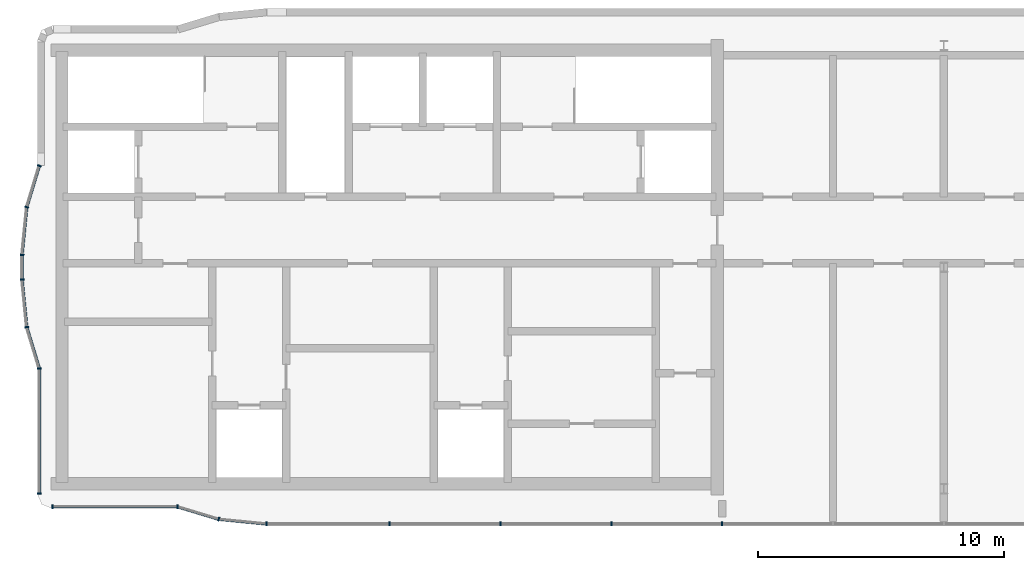
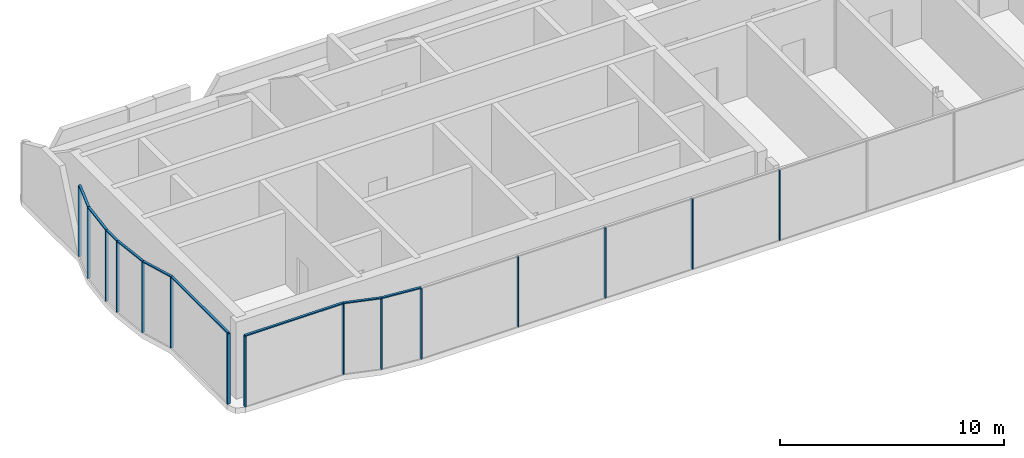
# One storey, part 2 of 9: 24 members, 10 elements without a shape of their own.
"""IFC4 building model written with IfcOpenShell, lengths in metres."""

from ifc_helpers import new_model, si_unit, direction, frame, origin, origin_2d, place, context, subcontext, project, spatial, rectangle, extrude, material, material_profile, profile_set, type_object, element, aggregate, save


model = new_model("IFC4")

# Units and contexts
model_context = context("Model", 3, precision=1e-05, world=origin(), true_north=direction((0.0, 1.0)))
body_context = subcontext(model_context, "Body", "Model", "MODEL_VIEW")
ifc_project = project(units=[si_unit("LENGTHUNIT", "METRE"), si_unit("AREAUNIT", "SQUARE_METRE"), si_unit("VOLUMEUNIT", "CUBIC_METRE"), si_unit("PLANEANGLEUNIT", "RADIAN"), si_unit("MASSUNIT", "GRAM", prefix="KILO")], contexts=[model_context])

# Site, building, storey
site_placement = place(None, origin())
site = spatial("IfcSite", under=ifc_project, at=site_placement, CompositionType="ELEMENT")
building_placement = place(site_placement, origin())
building = spatial("IfcBuilding", under=site, at=building_placement, Name="Ogive Portal Towers", CompositionType="ELEMENT")
storey_placement = place(building_placement, frame((0.0, 0.0, 281.300048828125)))
storey = spatial("IfcBuildingStorey", under=building, at=storey_placement, Name="L68", CompositionType="ELEMENT", Elevation=281.300048828125)

# Curtain wall, members
ifc_material_1 = material(Name="Glass, clear low-iron insulated glazing", Category="glass")
curtain_wall_type = type_object("IfcCurtainWallType", Name="CW CROWN GLAZING", PredefinedType="NOTDEFINED", material=ifc_material_1)
curtain_wall_1_placement = place(storey_placement, origin())
curtain_wall_1 = element("IfcCurtainWall", 1, at=curtain_wall_1_placement, inside=storey, type_object=curtain_wall_type, Name="A:L68:c00:cw", PredefinedType="NOTDEFINED")
ifc_material_2 = material(Name="Aluminium 6063 anodised", Category="aluminium")
ifc_material_profile_1 = material_profile(ifc_material_2, rectangle(XDim=0.159912109375, YDim=0.06005859375, at=origin_2d()), Name="AL 60x160")
ifc_profile_set_1 = profile_set([ifc_material_profile_1], Name="Aluminium 6063 anodised")
member_type_1 = type_object("IfcMemberType", Name="CW MULLION 60x160", PredefinedType="MULLION", material=ifc_profile_set_1)
member_1_placement = place(storey_placement, frame((30.780029296875, 26.38671875, 0.0), z_axis=(0.0, 0.0, 1.0), x_axis=(1.0, 0.0, 0.0)))
member_1 = element("IfcMember", 2, at=member_1_placement, type_object=member_type_1, Name="mullion", PredefinedType="MULLION", context=body_context, shape_type="SweptSolid", body=[
    extrude(rectangle(XDim=0.159912109375, YDim=0.06005859375, at=origin_2d()), origin(), (0.0, 0.0, 1.0), 3.83984375),
])
member_2_placement = place(storey_placement, frame((30.780029296875, 21.31591796875, 0.0), z_axis=(0.0, 0.0, 1.0), x_axis=(1.0, 0.0, 0.0)))
member_2 = element("IfcMember", 3, at=member_2_placement, type_object=member_type_1, Name="mullion", PredefinedType="MULLION", context=body_context, shape_type="SweptSolid", body=[
    extrude(rectangle(XDim=0.159912109375, YDim=0.06005859375, at=origin_2d()), origin(), (0.0, 0.0, 1.0), 3.83984375),
])

curtain_wall_2_placement = place(storey_placement, origin())
curtain_wall_2 = element("IfcCurtainWall", 4, at=curtain_wall_2_placement, inside=storey, type_object=curtain_wall_type, Name="A:L68:c03:cw", PredefinedType="NOTDEFINED")
member_3_placement = place(storey_placement, frame((31.31591796875, 20.780029296875, 0.0), z_axis=(0.0, 0.0, 1.0), x_axis=(0.0, 1.0, 0.0)))
member_3 = element("IfcMember", 5, at=member_3_placement, type_object=member_type_1, Name="mullion", PredefinedType="MULLION", context=body_context, shape_type="SweptSolid", body=[
    extrude(rectangle(XDim=0.159912109375, YDim=0.06005859375, at=origin_2d()), origin(), (0.0, 0.0, 1.0), 3.83984375),
])
member_4_placement = place(storey_placement, frame((36.38671875, 20.780029296875, 0.0), z_axis=(0.0, 0.0, 1.0), x_axis=(0.0, 1.0, 0.0)))
member_4 = element("IfcMember", 6, at=member_4_placement, type_object=member_type_1, Name="mullion", PredefinedType="MULLION", context=body_context, shape_type="SweptSolid", body=[
    extrude(rectangle(XDim=0.159912109375, YDim=0.06005859375, at=origin_2d()), origin(), (0.0, 0.0, 1.0), 3.83984375),
])

# Curtain wall, member
curtain_wall_3_placement = place(storey_placement, origin())
curtain_wall_3 = element("IfcCurtainWall", 7, at=curtain_wall_3_placement, inside=storey, type_object=curtain_wall_type, Name="A:L68:c04:cw", PredefinedType="NOTDEFINED")
member_5_placement = place(storey_placement, frame((38.064697265625, 20.27099609375, 0.0), z_axis=(0.0, 0.0, 1.0), x_axis=(0.290284677254, 0.956940335732, 0.0)))
member_5 = element("IfcMember", 8, at=member_5_placement, type_object=member_type_1, Name="mullion", PredefinedType="MULLION", context=body_context, shape_type="SweptSolid", body=[
    extrude(rectangle(XDim=0.159912109375, YDim=0.06005859375, at=origin_2d()), origin(), (0.0, 0.0, 1.0), 3.83984375),
])

curtain_wall_4_placement = place(storey_placement, origin())
curtain_wall_4 = element("IfcCurtainWall", 9, at=curtain_wall_4_placement, inside=storey, type_object=curtain_wall_type, Name="A:L68:c05:cw", PredefinedType="NOTDEFINED")
member_6_placement = place(storey_placement, frame((40.00390625, 20.080078125, 0.0), z_axis=(0.0, 0.0, 1.0), x_axis=(0.09801714033, 0.995184726672, 0.0)))
member_6 = element("IfcMember", 10, at=member_6_placement, type_object=member_type_1, Name="mullion", PredefinedType="MULLION", context=body_context, shape_type="SweptSolid", body=[
    extrude(rectangle(XDim=0.159912109375, YDim=0.06005859375, at=origin_2d()), origin(), (0.0, 0.0, 1.0), 3.83984375),
])

# Curtain wall, members
curtain_wall_5_placement = place(storey_placement, origin())
curtain_wall_5 = element("IfcCurtainWall", 11, at=curtain_wall_5_placement, inside=storey, type_object=curtain_wall_type, Name="A:L68:c06:cw", PredefinedType="NOTDEFINED")
member_7_placement = place(storey_placement, frame((45.0, 20.080078125, 0.0), z_axis=(0.0, 0.0, 1.0), x_axis=(0.0, 1.0, 0.0)))
member_7 = element("IfcMember", 12, at=member_7_placement, type_object=member_type_1, Name="mullion", PredefinedType="MULLION", context=body_context, shape_type="SweptSolid", body=[
    extrude(rectangle(XDim=0.159912109375, YDim=0.06005859375, at=origin_2d()), origin(), (0.0, 0.0, 1.0), 3.83984375),
])
member_8_placement = place(storey_placement, frame((49.5, 20.080078125, 0.0), z_axis=(0.0, 0.0, 1.0), x_axis=(0.0, 1.0, 0.0)))
member_8 = element("IfcMember", 13, at=member_8_placement, type_object=member_type_1, Name="mullion", PredefinedType="MULLION", context=body_context, shape_type="SweptSolid", body=[
    extrude(rectangle(XDim=0.159912109375, YDim=0.06005859375, at=origin_2d()), origin(), (0.0, 0.0, 1.0), 3.83984375),
])
member_9_placement = place(storey_placement, frame((54.0, 20.080078125, 0.0), z_axis=(0.0, 0.0, 1.0), x_axis=(0.0, 1.0, 0.0)))
member_9 = element("IfcMember", 14, at=member_9_placement, type_object=member_type_1, Name="mullion", PredefinedType="MULLION", context=body_context, shape_type="SweptSolid", body=[
    extrude(rectangle(XDim=0.159912109375, YDim=0.06005859375, at=origin_2d()), origin(), (0.0, 0.0, 1.0), 3.83984375),
])
member_10_placement = place(storey_placement, frame((58.5, 20.080078125, 0.0), z_axis=(0.0, 0.0, 1.0), x_axis=(0.0, 1.0, 0.0)))
member_10 = element("IfcMember", 15, at=member_10_placement, type_object=member_type_1, Name="mullion", PredefinedType="MULLION", context=body_context, shape_type="SweptSolid", body=[
    extrude(rectangle(XDim=0.159912109375, YDim=0.06005859375, at=origin_2d()), origin(), (0.0, 0.0, 1.0), 3.83984375),
])
aggregate(curtain_wall_5, [member_7, member_8, member_9, member_10])

curtain_wall_6_placement = place(storey_placement, origin())
curtain_wall_6 = element("IfcCurtainWall", 16, at=curtain_wall_6_placement, inside=storey, type_object=curtain_wall_type, Name="A:L68:c19:cw", PredefinedType="NOTDEFINED")
member_11_placement = place(storey_placement, frame((30.780029296875, 34.61328125, 0.0), z_axis=(0.0, 0.0, 1.0), x_axis=(0.956940335732, -0.290284677254, 0.0)))
member_11 = element("IfcMember", 17, at=member_11_placement, type_object=member_type_1, Name="mullion", PredefinedType="MULLION", context=body_context, shape_type="SweptSolid", body=[
    extrude(rectangle(XDim=0.159912109375, YDim=0.06005859375, at=origin_2d()), origin(), (0.0, 0.0, 1.0), 3.83984375),
])
member_12_placement = place(storey_placement, frame((30.27099609375, 32.935302734375, 0.0), z_axis=(0.0, 0.0, 1.0), x_axis=(0.956940335732, -0.290284677254, 0.0)))
member_12 = element("IfcMember", 18, at=member_12_placement, type_object=member_type_1, Name="mullion", PredefinedType="MULLION", context=body_context, shape_type="SweptSolid", body=[
    extrude(rectangle(XDim=0.159912109375, YDim=0.06005859375, at=origin_2d()), origin(), (0.0, 0.0, 1.0), 3.83984375),
])

# Curtain wall, member
curtain_wall_7_placement = place(storey_placement, origin())
curtain_wall_7 = element("IfcCurtainWall", 19, at=curtain_wall_7_placement, inside=storey, type_object=curtain_wall_type, Name="A:L68:c20:cw", PredefinedType="NOTDEFINED")
member_13_placement = place(storey_placement, frame((30.080078125, 30.99609375, 0.0), z_axis=(0.0, 0.0, 1.0), x_axis=(0.995184726672, -0.09801714033, 0.0)))
member_13 = element("IfcMember", 20, at=member_13_placement, type_object=member_type_1, Name="mullion", PredefinedType="MULLION", context=body_context, shape_type="SweptSolid", body=[
    extrude(rectangle(XDim=0.159912109375, YDim=0.06005859375, at=origin_2d()), origin(), (0.0, 0.0, 1.0), 3.83984375),
])

curtain_wall_8_placement = place(storey_placement, origin())
curtain_wall_8 = element("IfcCurtainWall", 21, at=curtain_wall_8_placement, inside=storey, type_object=curtain_wall_type, Name="A:L68:c21:cw", PredefinedType="NOTDEFINED")
member_14_placement = place(storey_placement, frame((30.080078125, 30.00390625, 0.0), z_axis=(0.0, 0.0, 1.0), x_axis=(1.0, 0.0, 0.0)))
member_14 = element("IfcMember", 22, at=member_14_placement, type_object=member_type_1, Name="mullion", PredefinedType="MULLION", context=body_context, shape_type="SweptSolid", body=[
    extrude(rectangle(XDim=0.159912109375, YDim=0.06005859375, at=origin_2d()), origin(), (0.0, 0.0, 1.0), 3.83984375),
])

curtain_wall_9_placement = place(storey_placement, origin())
curtain_wall_9 = element("IfcCurtainWall", 23, at=curtain_wall_9_placement, inside=storey, type_object=curtain_wall_type, Name="A:L68:c22:cw", PredefinedType="NOTDEFINED")
member_15_placement = place(storey_placement, frame((30.27099609375, 28.064697265625, 0.0), z_axis=(0.0, 0.0, 1.0), x_axis=(0.995184726672, 0.09801714033, 0.0)))
member_15 = element("IfcMember", 24, at=member_15_placement, type_object=member_type_1, Name="mullion", PredefinedType="MULLION", context=body_context, shape_type="SweptSolid", body=[
    extrude(rectangle(XDim=0.159912109375, YDim=0.06005859375, at=origin_2d()), origin(), (0.0, 0.0, 1.0), 3.83984375),
])

# Member
ifc_material_profile_2 = material_profile(ifc_material_2, rectangle(XDim=0.1201171875, YDim=0.06005859375, at=origin_2d()), Name="AL 120x60")
ifc_profile_set_2 = profile_set([ifc_material_profile_2], Name="Aluminium 6063 anodised")
member_type_2 = type_object("IfcMemberType", Name="CW TRANSOM 60x120", PredefinedType="USERDEFINED", material=ifc_profile_set_2)
member_16_placement = place(storey_placement, frame((30.780029296875, 26.38671875, 3.869873046875), z_axis=(0.0, -1.0, 0.0), x_axis=(1.0, 0.0, 0.0)))
member_16 = element("IfcMember", 25, at=member_16_placement, type_object=member_type_2, Name="transom", ObjectType="TRANSOM", PredefinedType="USERDEFINED", context=body_context, shape_type="SweptSolid", body=[
    extrude(rectangle(XDim=0.1201171875, YDim=0.06005859375, at=origin_2d()), origin(), (0.0, 0.0, 1.0), 5.07080078125),
])

aggregate(curtain_wall_1, [member_16, member_1, member_2])

member_17_placement = place(storey_placement, frame((31.31591796875, 20.780029296875, 3.869873046875), z_axis=(1.0, 0.0, 0.0), x_axis=(0.0, 1.0, 0.0)))
member_17 = element("IfcMember", 26, at=member_17_placement, type_object=member_type_2, Name="transom", ObjectType="TRANSOM", PredefinedType="USERDEFINED", context=body_context, shape_type="SweptSolid", body=[
    extrude(rectangle(XDim=0.1201171875, YDim=0.06005859375, at=origin_2d()), origin(), (0.0, 0.0, 1.0), 5.07080078125),
])

aggregate(curtain_wall_2, [member_17, member_3, member_4])

member_18_placement = place(storey_placement, frame((36.38671875, 20.780029296875, 3.869873046875), z_axis=(0.956936535945, -0.290297203178, 0.0), x_axis=(0.290297203178, 0.956936535945, 0.0)))
member_18 = element("IfcMember", 27, at=member_18_placement, type_object=member_type_2, Name="transom", ObjectType="TRANSOM", PredefinedType="USERDEFINED", context=body_context, shape_type="SweptSolid", body=[
    extrude(rectangle(XDim=0.1201171875, YDim=0.06005859375, at=origin_2d()), origin(), (0.0, 0.0, 1.0), 1.75341796875),
])

aggregate(curtain_wall_3, [member_18, member_5])

member_19_placement = place(storey_placement, frame((38.064697265625, 20.27099609375, 3.869873046875), z_axis=(0.995188602778, -0.097977777587, 0.0), x_axis=(0.097977777587, 0.995188602778, 0.0)))
member_19 = element("IfcMember", 28, at=member_19_placement, type_object=member_type_2, Name="transom", ObjectType="TRANSOM", PredefinedType="USERDEFINED", context=body_context, shape_type="SweptSolid", body=[
    extrude(rectangle(XDim=0.1201171875, YDim=0.06005859375, at=origin_2d()), origin(), (0.0, 0.0, 1.0), 1.948486328125),
])

aggregate(curtain_wall_4, [member_19, member_6])

member_20_placement = place(storey_placement, frame((30.780029296875, 34.61328125, 3.869873046875), z_axis=(-0.290297203178, -0.956936535945, 0.0), x_axis=(0.956936535945, -0.290297203178, 0.0)))
member_20 = element("IfcMember", 29, at=member_20_placement, type_object=member_type_2, Name="transom", ObjectType="TRANSOM", PredefinedType="USERDEFINED", context=body_context, shape_type="SweptSolid", body=[
    extrude(rectangle(XDim=0.1201171875, YDim=0.06005859375, at=origin_2d()), origin(), (0.0, 0.0, 1.0), 1.75341796875),
])

aggregate(curtain_wall_6, [member_20, member_11, member_12])

member_21_placement = place(storey_placement, frame((30.27099609375, 32.935302734375, 3.869873046875), z_axis=(-0.097977777587, -0.995188602778, 0.0), x_axis=(0.995188602778, -0.097977777587, 0.0)))
member_21 = element("IfcMember", 30, at=member_21_placement, type_object=member_type_2, Name="transom", ObjectType="TRANSOM", PredefinedType="USERDEFINED", context=body_context, shape_type="SweptSolid", body=[
    extrude(rectangle(XDim=0.1201171875, YDim=0.06005859375, at=origin_2d()), origin(), (0.0, 0.0, 1.0), 1.948486328125),
])

aggregate(curtain_wall_7, [member_21, member_13])

member_22_placement = place(storey_placement, frame((30.080078125, 30.99609375, 3.869873046875), z_axis=(0.0, -1.0, 0.0), x_axis=(1.0, 0.0, 0.0)))
member_22 = element("IfcMember", 31, at=member_22_placement, type_object=member_type_2, Name="transom", ObjectType="TRANSOM", PredefinedType="USERDEFINED", context=body_context, shape_type="SweptSolid", body=[
    extrude(rectangle(XDim=0.1201171875, YDim=0.06005859375, at=origin_2d()), origin(), (0.0, 0.0, 1.0), 0.9921875),
])

aggregate(curtain_wall_8, [member_22, member_14])

member_23_placement = place(storey_placement, frame((30.080078125, 30.00390625, 3.869873046875), z_axis=(0.097977777587, -0.995188602778, 0.0), x_axis=(0.995188602778, 0.097977777587, 0.0)))
member_23 = element("IfcMember", 32, at=member_23_placement, type_object=member_type_2, Name="transom", ObjectType="TRANSOM", PredefinedType="USERDEFINED", context=body_context, shape_type="SweptSolid", body=[
    extrude(rectangle(XDim=0.1201171875, YDim=0.06005859375, at=origin_2d()), origin(), (0.0, 0.0, 1.0), 1.948486328125),
])

aggregate(curtain_wall_9, [member_23, member_15])

# Curtain wall, member
curtain_wall_10_placement = place(storey_placement, origin())
curtain_wall_10 = element("IfcCurtainWall", 33, at=curtain_wall_10_placement, inside=storey, type_object=curtain_wall_type, Name="A:L68:c23:cw", PredefinedType="NOTDEFINED")
member_24_placement = place(storey_placement, frame((30.27099609375, 28.064697265625, 3.869873046875), z_axis=(0.290297203178, -0.956936535945, 0.0), x_axis=(0.956936535945, 0.290297203178, 0.0)))
member_24 = element("IfcMember", 34, at=member_24_placement, type_object=member_type_2, Name="transom", ObjectType="TRANSOM", PredefinedType="USERDEFINED", context=body_context, shape_type="SweptSolid", body=[
    extrude(rectangle(XDim=0.1201171875, YDim=0.06005859375, at=origin_2d()), origin(), (0.0, 0.0, 1.0), 1.75341796875),
])
aggregate(curtain_wall_10, [member_24])

save(model, "model.ifc")
